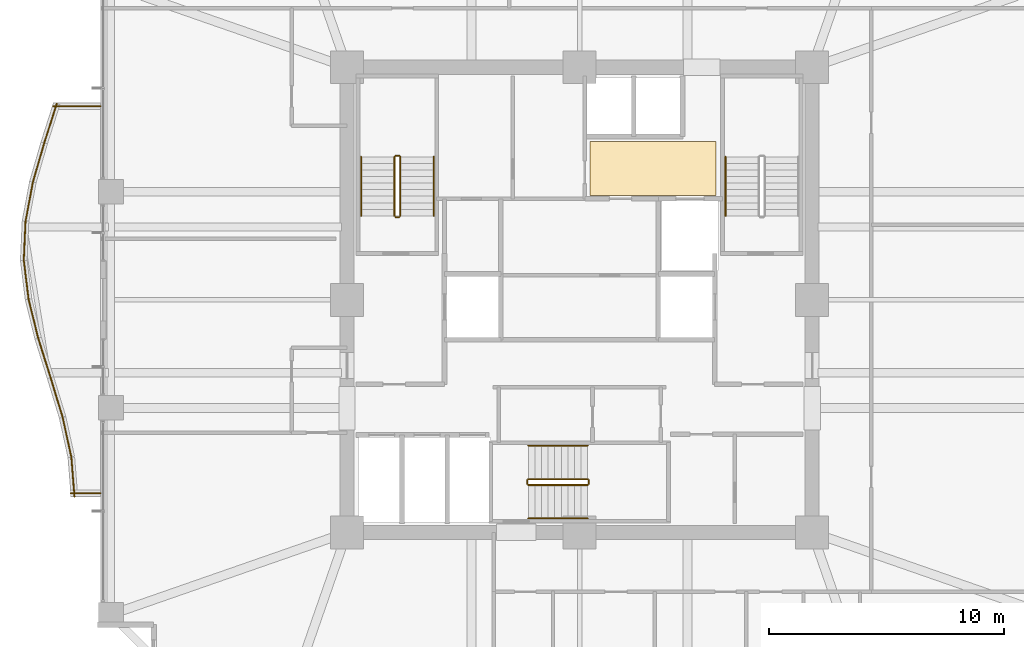
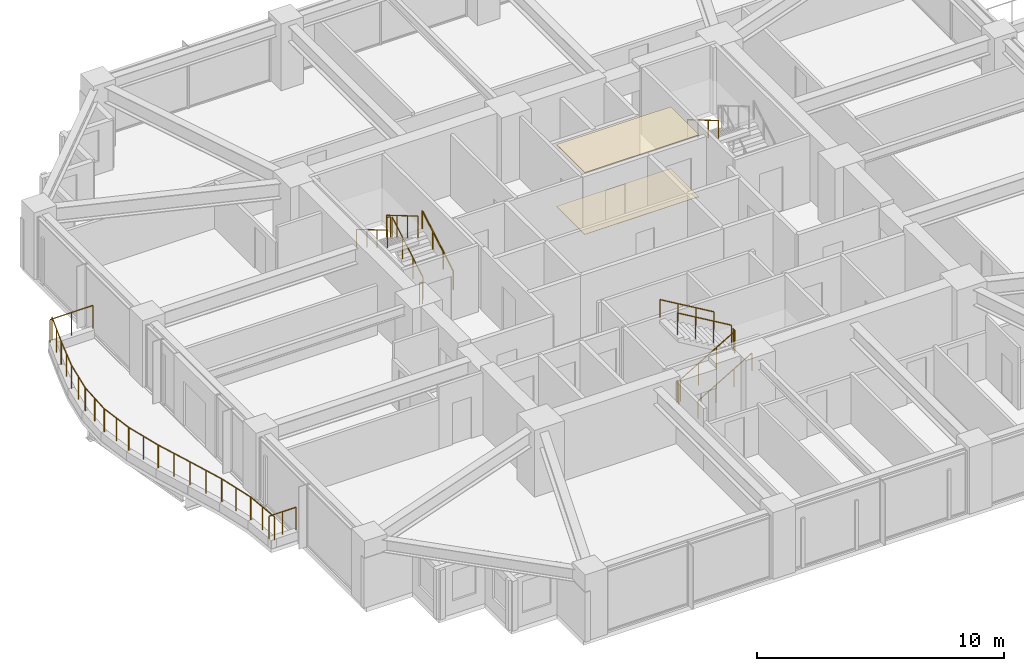
# One storey, part 35 of 36: 25 railings, 2 coverings.
"""IFC4 building model written with IfcOpenShell, lengths in metres."""

from ifc_helpers import new_model, si_unit, direction, frame, origin, origin_2d, place, context, subcontext, project, spatial, polyline, circle, outline, extrude, material, layer, layer_set, type_object, element, save


model = new_model("IFC4")

# Units and contexts
model_context = context("Model", 3, precision=1e-05, world=origin(), true_north=direction((0.0, 1.0)))
body_context = subcontext(model_context, "Body", "Model", "MODEL_VIEW")
ifc_project = project(units=[si_unit("LENGTHUNIT", "METRE"), si_unit("AREAUNIT", "SQUARE_METRE"), si_unit("VOLUMEUNIT", "CUBIC_METRE"), si_unit("PLANEANGLEUNIT", "RADIAN"), si_unit("MASSUNIT", "GRAM", prefix="KILO")], contexts=[model_context])

# Site, building, storey
site_placement = place(None, origin())
site = spatial("IfcSite", under=ifc_project, at=site_placement, CompositionType="ELEMENT")
building_placement = place(site_placement, origin())
building = spatial("IfcBuilding", under=site, at=building_placement, Name="Kolvaren Belvedere", CompositionType="ELEMENT")
storey_placement = place(building_placement, frame((0.0, 0.0, 88.699951171875)))
storey = spatial("IfcBuildingStorey", under=building, at=storey_placement, Name="L25", CompositionType="ELEMENT", Elevation=88.699951171875)

# Coverings
ifc_material_1 = material(Name="Acoustic perforated gypsum board", Category="gypsum")
ifc_layer_1 = layer(ifc_material_1, 0.02490234375)
ifc_layer_set_1 = layer_set([ifc_layer_1], Name="Acoustic perforated gypsum board")
covering_type_1 = type_object("IfcCoveringType", Name="COV-CEIL-GYP", PredefinedType="CEILING", material=ifc_layer_set_1)
covering_1_placement = place(storey_placement, frame((0.0, 0.0, 3.054931640625)))
element("IfcCovering", 1, at=covering_1_placement, inside=storey, type_object=covering_type_1, Name="L25 Lift Lobby Acoustic Baffle Ceiling", PredefinedType="CEILING", context=body_context, shape_type="SweptSolid", body=[
    extrude(outline(polyline([(0.449951171875, 4.449951171875), (5.800048828125, 4.449951171875), (5.800048828125, 6.75), (0.449951171875, 6.75), (0.449951171875, 4.449951171875)])), origin(), (0.0, 0.0, 1.0), 0.025146484375),
])
ifc_material_2 = material(Name="Engineered Pacific white oak", Category="timber")
ifc_layer_2 = layer(ifc_material_2, 0.02001953125)
ifc_layer_set_2 = layer_set([ifc_layer_2], Name="Engineered Pacific white oak")
covering_type_2 = type_object("IfcCoveringType", Name="COV-FLR-OAK", PredefinedType="FLOORING", material=ifc_layer_set_2)
covering_2_placement = place(storey_placement, origin())
element("IfcCovering", 2, at=covering_2_placement, inside=storey, type_object=covering_type_2, Name="L25 Lift Lobby Finish Flooring", PredefinedType="FLOORING", context=body_context, shape_type="SweptSolid", body=[
    extrude(outline(polyline([(0.449951171875, 4.449951171875), (5.800048828125, 4.449951171875), (5.800048828125, 6.75), (0.449951171875, 6.75), (0.449951171875, 4.449951171875)])), origin(), (0.0, 0.0, 1.0), 0.02001953125),
])

# Railings
ifc_material_3 = material(Name="Anodised pale-metal aluminium & laminated glass guard", Category="aluminium")
railing_type_1 = type_object("IfcRailingType", Name="RL-GUARD-1150", PredefinedType="GUARDRAIL", material=ifc_material_3)
railing_1_placement = place(storey_placement, frame((-22.25390625, 8.351318359375, 0.380126953125)))
element("IfcRailing", 3, at=railing_1_placement, inside=storey, type_object=railing_type_1, Name="L25 Exterior Deck Safety Guard BAL-W-1", PredefinedType="GUARDRAIL", context=body_context, shape_type="SweptSolid", body=[
    extrude(circle(Radius=0.02392578125, at=origin_2d()), frame((0.0, 0.0, 1.1259765625), z_axis=(-0.304032153573, -0.952661770826, 0.0), x_axis=(0.952661770826, -0.304032153573, 0.0)), (0.0, 0.0, 1.0), 1.763427734375),
    extrude(circle(Radius=0.02099609375, at=origin_2d()), origin(), (0.0, 0.0, 1.0), 1.101806640625),
    extrude(circle(Radius=0.02099609375, at=origin_2d()), frame((-0.26806640625, -0.83984375, 0.0)), (0.0, 0.0, 1.0), 1.101806640625),
    extrude(circle(Radius=0.02099609375, at=origin_2d()), frame((-0.5361328125, -1.679931640625, 0.0)), (0.0, 0.0, 1.0), 1.101806640625),
])
railing_2_placement = place(storey_placement, frame((-22.788818359375, 6.675537109375, 0.380126953125)))
element("IfcRailing", 4, at=railing_2_placement, inside=storey, type_object=railing_type_1, Name="L25 Exterior Deck Safety Guard BAL-W-2", PredefinedType="GUARDRAIL", context=body_context, shape_type="SweptSolid", body=[
    extrude(circle(Radius=0.02392578125, at=origin_2d()), frame((0.0, 0.0, 1.1259765625), z_axis=(-0.277817391164, -0.960633903819, 0.0), x_axis=(0.960633903819, -0.277817391164, 0.0)), (0.0, 0.0, 1.0), 1.748779296875),
    extrude(circle(Radius=0.02099609375, at=origin_2d()), origin(), (0.0, 0.0, 1.0), 1.101806640625),
    extrude(circle(Radius=0.02099609375, at=origin_2d()), frame((-0.242919921875, -0.83984375, 0.0)), (0.0, 0.0, 1.0), 1.101806640625),
    extrude(circle(Radius=0.02099609375, at=origin_2d()), frame((-0.48583984375, -1.679931640625, 0.0)), (0.0, 0.0, 1.0), 1.101806640625),
])
railing_3_placement = place(storey_placement, frame((-23.271240234375, 5.010498046875, 0.380126953125)))
element("IfcRailing", 5, at=railing_3_placement, inside=storey, type_object=railing_type_1, Name="L25 Exterior Deck Safety Guard BAL-W-3", PredefinedType="GUARDRAIL", context=body_context, shape_type="SweptSolid", body=[
    extrude(circle(Radius=0.02392578125, at=origin_2d()), frame((0.0, 0.0, 1.1259765625), z_axis=(-0.184650661912, -0.982804219087, 0.0), x_axis=(0.982804219087, -0.184650661912, 0.0)), (0.0, 0.0, 1.0), 1.70947265625),
    extrude(circle(Radius=0.02099609375, at=origin_2d()), origin(), (0.0, 0.0, 1.0), 1.101806640625),
    extrude(circle(Radius=0.02099609375, at=origin_2d()), frame((-0.15771484375, -0.840087890625, 0.0)), (0.0, 0.0, 1.0), 1.101806640625),
    extrude(circle(Radius=0.02099609375, at=origin_2d()), frame((-0.315673828125, -1.68017578125, 0.0)), (0.0, 0.0, 1.0), 1.101806640625),
])
railing_4_placement = place(storey_placement, frame((-23.58447265625, 3.352783203125, 0.380126953125)))
element("IfcRailing", 6, at=railing_4_placement, inside=storey, type_object=railing_type_1, Name="L25 Exterior Deck Safety Guard BAL-W-4", PredefinedType="GUARDRAIL", context=body_context, shape_type="SweptSolid", body=[
    extrude(circle(Radius=0.02392578125, at=origin_2d()), frame((0.0, 0.0, 1.1259765625), z_axis=(-0.045005941428, -0.998986719249, 0.0), x_axis=(0.998986719249, -0.045005941428, 0.0)), (0.0, 0.0, 1.0), 1.681640625),
    extrude(circle(Radius=0.02099609375, at=origin_2d()), origin(), (0.0, 0.0, 1.0), 1.101806640625),
    extrude(circle(Radius=0.02099609375, at=origin_2d()), frame((-0.037841796875, -0.83984375, 0.0)), (0.0, 0.0, 1.0), 1.101806640625),
    extrude(circle(Radius=0.02099609375, at=origin_2d()), frame((-0.07568359375, -1.679931640625, 0.0)), (0.0, 0.0, 1.0), 1.101806640625),
])
railing_5_placement = place(storey_placement, frame((-23.6611328125, 1.699462890625, 0.380126953125)))
element("IfcRailing", 7, at=railing_5_placement, inside=storey, type_object=railing_type_1, Name="L25 Exterior Deck Safety Guard BAL-W-5", PredefinedType="GUARDRAIL", context=body_context, shape_type="SweptSolid", body=[
    extrude(circle(Radius=0.02392578125, at=origin_2d()), frame((0.0, 0.0, 1.1259765625), z_axis=(0.121886315522, -0.99254406758, 0.0), x_axis=(0.99254406758, 0.121886315522, 0.0)), (0.0, 0.0, 1.0), 1.692626953125),
    extrude(circle(Radius=0.02099609375, at=origin_2d()), origin(), (0.0, 0.0, 1.0), 1.101806640625),
    extrude(circle(Radius=0.02099609375, at=origin_2d()), frame((0.10302734375, -0.83984375, 0.0)), (0.0, 0.0, 1.0), 1.101806640625),
    extrude(circle(Radius=0.02099609375, at=origin_2d()), frame((0.206298828125, -1.679931640625, 0.0)), (0.0, 0.0, 1.0), 1.101806640625),
])
railing_6_placement = place(storey_placement, frame((-23.458251953125, 0.038330078125, 0.380126953125)))
element("IfcRailing", 8, at=railing_6_placement, inside=storey, type_object=railing_type_1, Name="L25 Exterior Deck Safety Guard BAL-W-6", PredefinedType="GUARDRAIL", context=body_context, shape_type="SweptSolid", body=[
    extrude(circle(Radius=0.02392578125, at=origin_2d()), frame((0.0, 0.0, 1.1259765625), z_axis=(0.239180748277, -0.970975061293, 0.0), x_axis=(0.970975061293, 0.239180748277, 0.0)), (0.0, 0.0, 1.0), 1.730224609375),
    extrude(circle(Radius=0.02099609375, at=origin_2d()), origin(), (0.0, 0.0, 1.0), 1.101806640625),
    extrude(circle(Radius=0.02099609375, at=origin_2d()), frame((0.20703125, -0.83984375, 0.0)), (0.0, 0.0, 1.0), 1.101806640625),
    extrude(circle(Radius=0.02099609375, at=origin_2d()), frame((0.413818359375, -1.679931640625, 0.0)), (0.0, 0.0, 1.0), 1.101806640625),
])
railing_7_placement = place(storey_placement, frame((-23.047119140625, -1.632080078125, 0.380126953125)))
element("IfcRailing", 9, at=railing_7_placement, inside=storey, type_object=railing_type_1, Name="L25 Exterior Deck Safety Guard BAL-W-7", PredefinedType="GUARDRAIL", context=body_context, shape_type="SweptSolid", body=[
    extrude(circle(Radius=0.02392578125, at=origin_2d()), frame((0.0, 0.0, 1.1259765625), z_axis=(0.299624691176, -0.954057149461, 0.0), x_axis=(0.954057149461, 0.299624691176, 0.0)), (0.0, 0.0, 1.0), 1.7607421875),
    extrude(circle(Radius=0.02099609375, at=origin_2d()), origin(), (0.0, 0.0, 1.0), 1.101806640625),
    extrude(circle(Radius=0.02099609375, at=origin_2d()), frame((0.263671875, -0.83984375, 0.0)), (0.0, 0.0, 1.0), 1.101806640625),
    extrude(circle(Radius=0.02099609375, at=origin_2d()), frame((0.527587890625, -1.679931640625, 0.0)), (0.0, 0.0, 1.0), 1.101806640625),
])
railing_8_placement = place(storey_placement, frame((-22.51904296875, -3.3134765625, 0.380126953125)))
element("IfcRailing", 10, at=railing_8_placement, inside=storey, type_object=railing_type_1, Name="L25 Exterior Deck Safety Guard BAL-W-8", PredefinedType="GUARDRAIL", context=body_context, shape_type="SweptSolid", body=[
    extrude(circle(Radius=0.02392578125, at=origin_2d()), frame((0.0, 0.0, 1.1259765625), z_axis=(0.290879426191, -0.956759718748, 0.0), x_axis=(0.956759718748, 0.290879426191, 0.0)), (0.0, 0.0, 1.0), 1.755859375),
    extrude(circle(Radius=0.02099609375, at=origin_2d()), origin(), (0.0, 0.0, 1.0), 1.101806640625),
    extrude(circle(Radius=0.02099609375, at=origin_2d()), frame((0.25537109375, -0.83984375, 0.0)), (0.0, 0.0, 1.0), 1.101806640625),
    extrude(circle(Radius=0.02099609375, at=origin_2d()), frame((0.5107421875, -1.679931640625, 0.0)), (0.0, 0.0, 1.0), 1.101806640625),
])
railing_9_placement = place(storey_placement, frame((-22.0048828125, -5.005859375, 0.380126953125)))
element("IfcRailing", 11, at=railing_9_placement, inside=storey, type_object=railing_type_1, Name="L25 Exterior Deck Safety Guard BAL-W-9", PredefinedType="GUARDRAIL", context=body_context, shape_type="SweptSolid", body=[
    extrude(circle(Radius=0.02392578125, at=origin_2d()), frame((0.0, 0.0, 1.1259765625), z_axis=(0.213802724545, -0.976876857632, 0.0), x_axis=(0.976876857632, 0.213802724545, 0.0)), (0.0, 0.0, 1.0), 1.7197265625),
    extrude(circle(Radius=0.02099609375, at=origin_2d()), origin(), (0.0, 0.0, 1.0), 1.101806640625),
    extrude(circle(Radius=0.02099609375, at=origin_2d()), frame((0.183837890625, -0.83984375, 0.0)), (0.0, 0.0, 1.0), 1.101806640625),
    extrude(circle(Radius=0.02099609375, at=origin_2d()), frame((0.36767578125, -1.679931640625, 0.0)), (0.0, 0.0, 1.0), 1.101806640625),
])
railing_10_placement = place(storey_placement, frame((-21.634033203125, -6.707275390625, 0.380126953125)))
element("IfcRailing", 12, at=railing_10_placement, inside=storey, type_object=railing_type_1, Name="L25 Exterior Deck Safety Guard BAL-W-10", PredefinedType="GUARDRAIL", context=body_context, shape_type="SweptSolid", body=[
    extrude(circle(Radius=0.02392578125, at=origin_2d()), frame((0.0, 0.0, 1.1259765625), z_axis=(0.079244268248, -0.99685522818, 0.0), x_axis=(0.99685522818, 0.079244268248, 0.0)), (0.0, 0.0, 1.0), 1.685302734375),
    extrude(circle(Radius=0.02099609375, at=origin_2d()), origin(), (0.0, 0.0, 1.0), 1.101806640625),
    extrude(circle(Radius=0.02099609375, at=origin_2d()), frame((0.06689453125, -0.83984375, 0.0)), (0.0, 0.0, 1.0), 1.101806640625),
    extrude(circle(Radius=0.02099609375, at=origin_2d()), frame((0.133544921875, -1.679931640625, 0.0)), (0.0, 0.0, 1.0), 1.101806640625),
])
railing_11_placement = place(storey_placement, frame((-21.659912109375, -8.239990234375, 0.380126953125)))
element("IfcRailing", 13, at=railing_11_placement, inside=storey, type_object=railing_type_1, Name="L25 Exterior Deck Safety Guard BAL-W-11", PredefinedType="GUARDRAIL", context=body_context, shape_type="SweptSolid", body=[
    extrude(circle(Radius=0.02392578125, at=origin_2d()), frame((0.0, 0.0, 1.1259765625), z_axis=(1.0, 0.0, 0.0), x_axis=(0.0, 1.0, 0.0)), (0.0, 0.0, 1.0), 1.260009765625),
    extrude(circle(Radius=0.02099609375, at=origin_2d()), origin(), (0.0, 0.0, 1.0), 1.101806640625),
    extrude(circle(Radius=0.02099609375, at=origin_2d()), frame((0.6298828125, 0.0, 0.0)), (0.0, 0.0, 1.0), 1.101806640625),
    extrude(circle(Radius=0.02099609375, at=origin_2d()), frame((1.260009765625, 0.0, 0.0)), (0.0, 0.0, 1.0), 1.101806640625),
])
railing_12_placement = place(storey_placement, frame((-20.39990234375, 8.239990234375, 0.380126953125)))
element("IfcRailing", 14, at=railing_12_placement, inside=storey, type_object=railing_type_1, Name="L25 Exterior Deck Safety Guard BAL-W-22", PredefinedType="GUARDRAIL", context=body_context, shape_type="SweptSolid", body=[
    extrude(circle(Radius=0.02392578125, at=origin_2d()), frame((0.0, 0.0, 1.1259765625), z_axis=(-1.0, 0.0, 0.0), x_axis=(0.0, -1.0, 0.0)), (0.0, 0.0, 1.0), 2.00634765625),
    extrude(circle(Radius=0.02099609375, at=origin_2d()), origin(), (0.0, 0.0, 1.0), 1.101806640625),
    extrude(circle(Radius=0.02099609375, at=origin_2d()), frame((-1.003173828125, 0.0, 0.0)), (0.0, 0.0, 1.0), 1.101806640625),
    extrude(circle(Radius=0.02099609375, at=origin_2d()), frame((-2.00634765625, 0.0, 0.0)), (0.0, 0.0, 1.0), 1.101806640625),
])
ifc_material_4 = material(Name="Brushed stainless-steel handrail", Category="steel")
railing_type_2 = type_object("IfcRailingType", Name="RL-HANDRAIL-920", PredefinedType="HANDRAIL", material=ifc_material_4)
railing_13_placement = place(storey_placement, frame((-6.2099609375, 3.570068359375, 0.1650390625)))
element("IfcRailing", 15, at=railing_13_placement, inside=storey, type_object=railing_type_2, Name="L25 ST-1 stair handrail 1", PredefinedType="HANDRAIL", context=body_context, shape_type="SweptSolid", body=[
    extrude(circle(Radius=0.02392578125, at=origin_2d()), frame((0.0, 0.0, 0.8759765625), z_axis=(0.0, 0.86152411907, 0.507716645641), x_axis=(-1.0, 0.0, 0.0)), (0.0, 0.0, 1.0), 2.925048828125),
    extrude(circle(Radius=0.02099609375, at=origin_2d()), origin(), (0.0, 0.0, 1.0), 0.851806640625),
    extrude(circle(Radius=0.02099609375, at=origin_2d()), frame((0.0, 0.840087890625, 0.4951171875)), (0.0, 0.0, 1.0), 0.851806640625),
    extrude(circle(Radius=0.02099609375, at=origin_2d()), frame((0.0, 1.679931640625, 0.989990234375)), (0.0, 0.0, 1.0), 0.851806640625),
    extrude(circle(Radius=0.02099609375, at=origin_2d()), frame((0.0, 2.52001953125, 1.485107421875)), (0.0, 0.0, 1.0), 0.851806640625),
])
for number, where, name in (
    (16, (-9.300048828125, 6.090087890625, 1.81494140625), "L25 ST-1 stair handrail 2"),
    (17, (6.2099609375, 6.090087890625, 1.81494140625), "L25 ST-2 stair handrail 2"),
):
    element("IfcRailing", number, at=place(storey_placement, frame(where)), inside=storey, type_object=railing_type_2, Name=name, PredefinedType="HANDRAIL", context=body_context, shape_type="SweptSolid", body=[
        extrude(circle(Radius=0.02392578125, at=origin_2d()), frame((0.0, 0.0, 0.8759765625), z_axis=(0.0, -0.86152411907, 0.507716645641), x_axis=(1.0, 0.0, 0.0)), (0.0, 0.0, 1.0), 2.925048828125),
        extrude(circle(Radius=0.02099609375, at=origin_2d()), origin(), (0.0, 0.0, 1.0), 0.851806640625),
        extrude(circle(Radius=0.02099609375, at=origin_2d()), frame((0.0, -0.840087890625, 0.4951171875)), (0.0, 0.0, 1.0), 0.851806640625),
        extrude(circle(Radius=0.02099609375, at=origin_2d()), frame((0.0, -1.679931640625, 0.989990234375)), (0.0, 0.0, 1.0), 0.851806640625),
        extrude(circle(Radius=0.02099609375, at=origin_2d()), frame((0.0, -2.52001953125, 1.485107421875)), (0.0, 0.0, 1.0), 0.851806640625),
    ])
railing_14_placement = place(storey_placement, frame((-2.179931640625, -9.300048828125, 0.1650390625)))
element("IfcRailing", 18, at=railing_14_placement, inside=storey, type_object=railing_type_2, Name="L25 ST-3 stair handrail 1", PredefinedType="HANDRAIL", context=body_context, shape_type="SweptSolid", body=[
    extrude(circle(Radius=0.02392578125, at=origin_2d()), frame((0.0, 0.0, 0.8759765625), z_axis=(0.86152411907, 0.0, 0.507716645641), x_axis=(0.0, 1.0, 0.0)), (0.0, 0.0, 1.0), 2.925048828125),
    extrude(circle(Radius=0.02099609375, at=origin_2d()), origin(), (0.0, 0.0, 1.0), 0.851806640625),
    extrude(circle(Radius=0.02099609375, at=origin_2d()), frame((0.840087890625, 0.0, 0.4951171875)), (0.0, 0.0, 1.0), 0.851806640625),
    extrude(circle(Radius=0.02099609375, at=origin_2d()), frame((1.679931640625, 0.0, 0.989990234375)), (0.0, 0.0, 1.0), 0.851806640625),
    extrude(circle(Radius=0.02099609375, at=origin_2d()), frame((2.52001953125, 0.0, 1.485107421875)), (0.0, 0.0, 1.0), 0.851806640625),
])
railing_15_placement = place(storey_placement, frame((0.340087890625, -6.2099609375, 1.81494140625)))
element("IfcRailing", 19, at=railing_15_placement, inside=storey, type_object=railing_type_2, Name="L25 ST-3 stair handrail 2", PredefinedType="HANDRAIL", context=body_context, shape_type="SweptSolid", body=[
    extrude(circle(Radius=0.02392578125, at=origin_2d()), frame((0.0, 0.0, 0.8759765625), z_axis=(-0.86152411907, 0.0, 0.507716645641), x_axis=(0.0, -1.0, 0.0)), (0.0, 0.0, 1.0), 2.925048828125),
    extrude(circle(Radius=0.02099609375, at=origin_2d()), origin(), (0.0, 0.0, 1.0), 0.851806640625),
    extrude(circle(Radius=0.02099609375, at=origin_2d()), frame((-0.840087890625, 0.0, 0.4951171875)), (0.0, 0.0, 1.0), 0.851806640625),
    extrude(circle(Radius=0.02099609375, at=origin_2d()), frame((-1.679931640625, 0.0, 0.989990234375)), (0.0, 0.0, 1.0), 0.851806640625),
    extrude(circle(Radius=0.02099609375, at=origin_2d()), frame((-2.52001953125, 0.0, 1.485107421875)), (0.0, 0.0, 1.0), 0.851806640625),
])
ifc_material_5 = material(Name="Painted tubular steel stair guard", Category="steel")
railing_type_3 = type_object("IfcRailingType", Name="RL-STGUARD-1100", PredefinedType="GUARDRAIL", material=ifc_material_5)
railing_16_placement = place(storey_placement, frame((-7.6298828125, 3.570068359375, 0.1650390625)))
element("IfcRailing", 20, at=railing_16_placement, inside=storey, type_object=railing_type_3, Name="L25 ST-1 stair guard 1", PredefinedType="GUARDRAIL", context=body_context, shape_type="SweptSolid", body=[
    extrude(circle(Radius=0.02392578125, at=origin_2d()), frame((0.0, 0.0, 1.076171875), z_axis=(0.0, 0.86152411907, 0.507716645641), x_axis=(-1.0, 0.0, 0.0)), (0.0, 0.0, 1.0), 2.925048828125),
    extrude(circle(Radius=0.02099609375, at=origin_2d()), origin(), (0.0, 0.0, 1.0), 1.052001953125),
    extrude(circle(Radius=0.02099609375, at=origin_2d()), frame((0.0, 0.840087890625, 0.4951171875)), (0.0, 0.0, 1.0), 1.052001953125),
    extrude(circle(Radius=0.02099609375, at=origin_2d()), frame((0.0, 1.679931640625, 0.989990234375)), (0.0, 0.0, 1.0), 1.052001953125),
    extrude(circle(Radius=0.02099609375, at=origin_2d()), frame((0.0, 2.52001953125, 1.485107421875)), (0.0, 0.0, 1.0), 1.052001953125),
])
railing_17_placement = place(storey_placement, frame((-7.679931640625, 6.139892578125, 1.650146484375)))
element("IfcRailing", 21, at=railing_17_placement, inside=storey, type_object=railing_type_3, Name="L25 ST-1 stair guard 2", PredefinedType="GUARDRAIL", context=body_context, shape_type="SweptSolid", body=[
    extrude(circle(Radius=0.02392578125, at=origin_2d()), frame((0.0, 0.0, 1.076171875), z_axis=(-1.0, 0.0, 0.0), x_axis=(0.0, -1.0, 0.0)), (0.0, 0.0, 1.0), 0.150146484375),
    extrude(circle(Radius=0.02099609375, at=origin_2d()), origin(), (0.0, 0.0, 1.0), 1.052001953125),
    extrude(circle(Radius=0.02099609375, at=origin_2d()), frame((-0.150146484375, 0.0, 0.0)), (0.0, 0.0, 1.0), 1.052001953125),
])
railing_18_placement = place(storey_placement, frame((-7.8798828125, 6.090087890625, 1.81494140625)))
element("IfcRailing", 22, at=railing_18_placement, inside=storey, type_object=railing_type_3, Name="L25 ST-1 stair guard 3", PredefinedType="GUARDRAIL", context=body_context, shape_type="SweptSolid", body=[
    extrude(circle(Radius=0.02392578125, at=origin_2d()), frame((0.0, 0.0, 1.076171875), z_axis=(0.0, -0.86152411907, 0.507716645641), x_axis=(1.0, 0.0, 0.0)), (0.0, 0.0, 1.0), 2.925048828125),
    extrude(circle(Radius=0.02099609375, at=origin_2d()), origin(), (0.0, 0.0, 1.0), 1.052001953125),
    extrude(circle(Radius=0.02099609375, at=origin_2d()), frame((0.0, -0.840087890625, 0.4951171875)), (0.0, 0.0, 1.0), 1.052001953125),
    extrude(circle(Radius=0.02099609375, at=origin_2d()), frame((0.0, -1.679931640625, 0.989990234375)), (0.0, 0.0, 1.0), 1.052001953125),
    extrude(circle(Radius=0.02099609375, at=origin_2d()), frame((0.0, -2.52001953125, 1.485107421875)), (0.0, 0.0, 1.0), 1.052001953125),
])
railing_19_placement = place(storey_placement, frame((-7.679931640625, 3.52001953125, 0.0)))
element("IfcRailing", 23, at=railing_19_placement, inside=storey, type_object=railing_type_3, Name="L25 ST-1 stair guard 4", PredefinedType="GUARDRAIL", context=body_context, shape_type="SweptSolid", body=[
    extrude(circle(Radius=0.02392578125, at=origin_2d()), frame((0.0, 0.0, 1.076171875), z_axis=(-1.0, 0.0, 0.0), x_axis=(0.0, -1.0, 0.0)), (0.0, 0.0, 1.0), 0.150146484375),
    extrude(circle(Radius=0.02099609375, at=origin_2d()), origin(), (0.0, 0.0, 1.0), 1.052001953125),
    extrude(circle(Radius=0.02099609375, at=origin_2d()), frame((-0.150146484375, 0.0, 0.0)), (0.0, 0.0, 1.0), 1.052001953125),
])
railing_20_placement = place(storey_placement, frame((-2.179931640625, -7.8798828125, 0.1650390625)))
element("IfcRailing", 24, at=railing_20_placement, inside=storey, type_object=railing_type_3, Name="L25 ST-3 stair guard 1", PredefinedType="GUARDRAIL", context=body_context, shape_type="SweptSolid", body=[
    extrude(circle(Radius=0.02392578125, at=origin_2d()), frame((0.0, 0.0, 1.076171875), z_axis=(0.86152411907, 0.0, 0.507716645641), x_axis=(0.0, 1.0, 0.0)), (0.0, 0.0, 1.0), 2.925048828125),
    extrude(circle(Radius=0.02099609375, at=origin_2d()), origin(), (0.0, 0.0, 1.0), 1.052001953125),
    extrude(circle(Radius=0.02099609375, at=origin_2d()), frame((0.840087890625, 0.0, 0.4951171875)), (0.0, 0.0, 1.0), 1.052001953125),
    extrude(circle(Radius=0.02099609375, at=origin_2d()), frame((1.679931640625, 0.0, 0.989990234375)), (0.0, 0.0, 1.0), 1.052001953125),
    extrude(circle(Radius=0.02099609375, at=origin_2d()), frame((2.52001953125, 0.0, 1.485107421875)), (0.0, 0.0, 1.0), 1.052001953125),
])
railing_21_placement = place(storey_placement, frame((0.389892578125, -7.830078125, 1.650146484375)))
element("IfcRailing", 25, at=railing_21_placement, inside=storey, type_object=railing_type_3, Name="L25 ST-3 stair guard 2", PredefinedType="GUARDRAIL", context=body_context, shape_type="SweptSolid", body=[
    extrude(circle(Radius=0.02392578125, at=origin_2d()), frame((0.0, 0.0, 1.076171875), z_axis=(0.0, 1.0, 0.0), x_axis=(-1.0, 0.0, 0.0)), (0.0, 0.0, 1.0), 0.150146484375),
    extrude(circle(Radius=0.02099609375, at=origin_2d()), origin(), (0.0, 0.0, 1.0), 1.052001953125),
    extrude(circle(Radius=0.02099609375, at=origin_2d()), frame((0.0, 0.150146484375, 0.0)), (0.0, 0.0, 1.0), 1.052001953125),
])
railing_22_placement = place(storey_placement, frame((0.340087890625, -7.6298828125, 1.81494140625)))
element("IfcRailing", 26, at=railing_22_placement, inside=storey, type_object=railing_type_3, Name="L25 ST-3 stair guard 3", PredefinedType="GUARDRAIL", context=body_context, shape_type="SweptSolid", body=[
    extrude(circle(Radius=0.02392578125, at=origin_2d()), frame((0.0, 0.0, 1.076171875), z_axis=(-0.86152411907, 0.0, 0.507716645641), x_axis=(0.0, -1.0, 0.0)), (0.0, 0.0, 1.0), 2.925048828125),
    extrude(circle(Radius=0.02099609375, at=origin_2d()), origin(), (0.0, 0.0, 1.0), 1.052001953125),
    extrude(circle(Radius=0.02099609375, at=origin_2d()), frame((-0.840087890625, 0.0, 0.4951171875)), (0.0, 0.0, 1.0), 1.052001953125),
    extrude(circle(Radius=0.02099609375, at=origin_2d()), frame((-1.679931640625, 0.0, 0.989990234375)), (0.0, 0.0, 1.0), 1.052001953125),
    extrude(circle(Radius=0.02099609375, at=origin_2d()), frame((-2.52001953125, 0.0, 1.485107421875)), (0.0, 0.0, 1.0), 1.052001953125),
])
railing_23_placement = place(storey_placement, frame((-2.22998046875, -7.830078125, 0.0)))
element("IfcRailing", 27, at=railing_23_placement, inside=storey, type_object=railing_type_3, Name="L25 ST-3 stair guard 4", PredefinedType="GUARDRAIL", context=body_context, shape_type="SweptSolid", body=[
    extrude(circle(Radius=0.02392578125, at=origin_2d()), frame((0.0, 0.0, 1.076171875), z_axis=(0.0, 1.0, 0.0), x_axis=(-1.0, 0.0, 0.0)), (0.0, 0.0, 1.0), 0.150146484375),
    extrude(circle(Radius=0.02099609375, at=origin_2d()), origin(), (0.0, 0.0, 1.0), 1.052001953125),
    extrude(circle(Radius=0.02099609375, at=origin_2d()), frame((0.0, 0.150146484375, 0.0)), (0.0, 0.0, 1.0), 1.052001953125),
])

save(model, "model.ifc")
